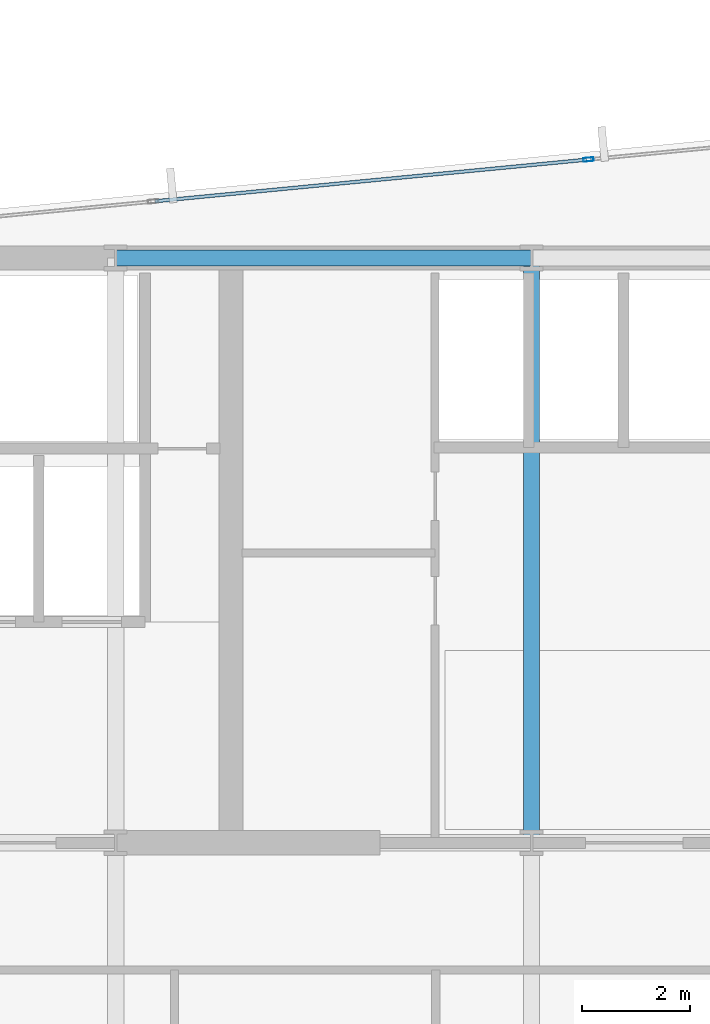
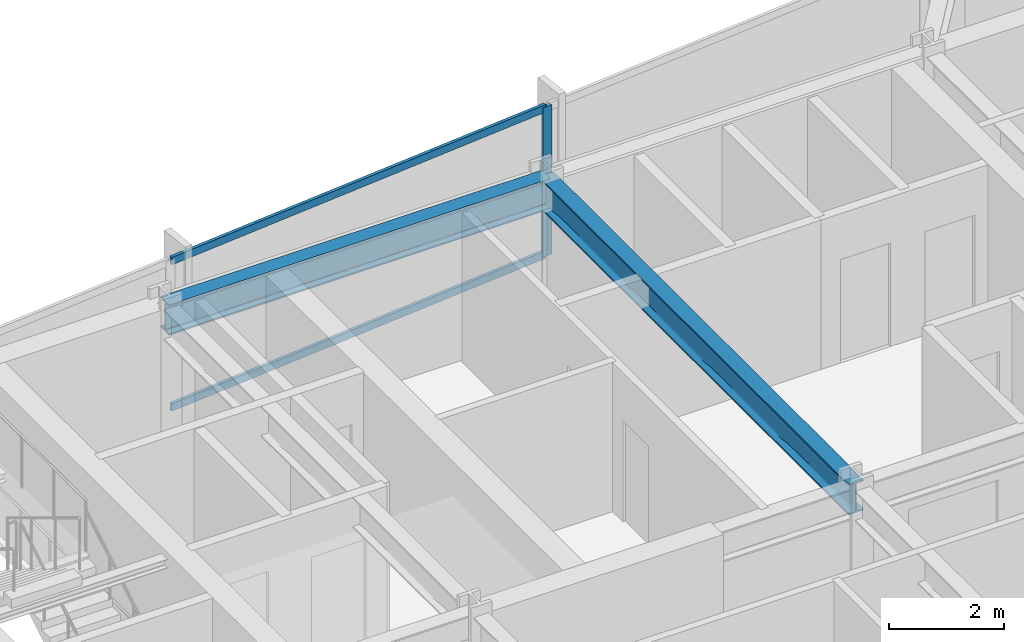
# One storey, part 19 of 33: 3 members, 2 beams, 1 element without a shape of its own.
"""IFC4 building model written with IfcOpenShell, lengths in metres."""

import ifcopenshell
import ifcopenshell.guid

model = None  # the IFC model being written
_history = None  # IfcOwnerHistory: only IFC2X3 demands one
_inside = {}  # id of a spatial element -> (the spatial element, [elements in it])
_under = {}  # id of a project, library or spatial element -> (it, [spatial elements below it])
_declared = {}  # id of a project -> (the project, [libraries it declares])
_typed = {}  # id of a type object -> (the type object, [elements of that type])
_made_of = {}  # id of a material, layer set ... -> (it, [elements and type objects made of it])


def new_model(schema):
    """Start an empty IFC model of exactly this schema.

    Asked for "IFC4X3", IfcOpenShell would pick the latest addendum, in which some entities
    have other attributes; the version numbers below select the first issue.
    IFC2X3 requires an IfcOwnerHistory on every rooted entity: one is made here for all.
    """
    global model, _history
    if schema == "IFC4X3":
        model = ifcopenshell.file(schema_version=(4, 3, 0, 0))
    else:
        model = ifcopenshell.file(schema=schema)
    _inside.clear()
    _under.clear()
    _declared.clear()
    _typed.clear()
    _made_of.clear()
    _history = None
    if model.schema == "IFC2X3":
        org = make("IfcOrganization", Name="unknown")
        user = make(
            "IfcPersonAndOrganization",
            ThePerson=make("IfcPerson", FamilyName="unknown"),
            TheOrganization=org,
        )
        app = make(
            "IfcApplication",
            ApplicationDeveloper=org,
            Version="unknown",
            ApplicationFullName="unknown",
            ApplicationIdentifier="unknown",
        )
        _history = make(
            "IfcOwnerHistory",
            OwningUser=user,
            OwningApplication=app,
            ChangeAction="ADDED",
            CreationDate=0,
        )
    return model


def make(cls, **values):
    """One entity of the class cls with the attributes given. An attribute that is None is left unset."""
    return model.create_entity(
        cls, **{name: value for name, value in values.items() if value is not None}
    )


def rooted(cls, **values):
    """An entity with a GlobalId (a new one), such as an element, a storey or a relation."""
    return make(cls, GlobalId=ifcopenshell.guid.new(), OwnerHistory=_history, **values)


def si_unit(unit_type, name, prefix=None):
    """IfcSIUnit, for example si_unit("LENGTHUNIT", "METRE", prefix="MILLI")."""
    return make("IfcSIUnit", UnitType=unit_type, Prefix=prefix, Name=name)


def assignment(units):
    """IfcUnitAssignment: the units of a project."""
    return None if units is None else make("IfcUnitAssignment", Units=units)


def point(xyz):
    """IfcCartesianPoint."""
    return None if xyz is None else make("IfcCartesianPoint", Coordinates=xyz)


def direction(xyz):
    """IfcDirection."""
    return None if xyz is None else make("IfcDirection", DirectionRatios=xyz)


def frame(location, z_axis=None, x_axis=None):
    """IfcAxis2Placement3D, a coordinate frame: its origin and axes. An axis left out is left unset."""
    return make(
        "IfcAxis2Placement3D",
        Location=point(location),
        Axis=direction(z_axis),
        RefDirection=direction(x_axis),
    )


def frame_2d(location, x_axis=None):
    """IfcAxis2Placement2D, a coordinate frame in the plane: its origin and x axis."""
    return make(
        "IfcAxis2Placement2D", Location=point(location), RefDirection=direction(x_axis)
    )


def origin():
    """The frame at (0, 0, 0) with its axes left unset."""
    return frame((0.0, 0.0, 0.0))


def origin_2d():
    """The frame at (0, 0) in the plane with its x axis left unset."""
    return frame_2d((0.0, 0.0))


def place(relative_to, where):
    """IfcLocalPlacement: puts the frame where relative to a parent placement (None: the world)."""
    return make(
        "IfcLocalPlacement", PlacementRelTo=relative_to, RelativePlacement=where
    )


def context(
    kind, dimensions, precision=None, world=None, true_north=None, identifier=None
):
    """IfcGeometricRepresentationContext, for example the 3D "Model" context."""
    return make(
        "IfcGeometricRepresentationContext",
        ContextIdentifier=identifier,
        ContextType=kind,
        CoordinateSpaceDimension=dimensions,
        Precision=precision,
        WorldCoordinateSystem=world,
        TrueNorth=true_north,
    )


def subcontext(parent, identifier, kind, view, scale=None):
    """IfcGeometricRepresentationSubContext, for example "Body" below "Model"."""
    return make(
        "IfcGeometricRepresentationSubContext",
        ContextIdentifier=identifier,
        ContextType=kind,
        ParentContext=parent,
        TargetScale=scale,
        TargetView=view,
    )


def project(units=None, contexts=None):
    """IfcProject with its units and contexts."""
    return rooted(
        "IfcProject",
        Name="project",
        RepresentationContexts=contexts,
        UnitsInContext=assignment(units),
    )


def spatial(cls, under=None, at=None, **own):
    """A site, building, storey or space (cls), placed at a placement, below another one or the project."""
    s = rooted(cls, ObjectPlacement=at, **own)
    if under is not None:
        _under.setdefault(under.id(), (under, []))[1].append(s)
    return s


def profile(cls, at=None, kind="AREA", **sizes):
    """A parametric profile (cls). Its sizes go by their IFC names, for example OverallWidth=200.0."""
    return make(cls, ProfileType=kind, Position=at, **sizes)


def hollow_rectangle(**sizes):
    """IfcRectangleHollowProfileDef."""
    return profile("IfcRectangleHollowProfileDef", **sizes)


def i_section(**sizes):
    """IfcIShapeProfileDef."""
    return profile("IfcIShapeProfileDef", **sizes)


def extrude(swept, where, along, depth):
    """IfcExtrudedAreaSolid: the profile swept, set in the frame where, extruded along a direction by depth."""
    return make(
        "IfcExtrudedAreaSolid",
        SweptArea=swept,
        Position=where,
        ExtrudedDirection=direction(along),
        Depth=depth,
    )


def shape(context_of_items, identifier, shape_type, items):
    """IfcShapeRepresentation: the items that make up one representation, for example the "Body"."""
    return make(
        "IfcShapeRepresentation",
        ContextOfItems=context_of_items,
        RepresentationIdentifier=identifier,
        RepresentationType=shape_type,
        Items=items,
    )


def material(Name=None, Category=None):
    """IfcMaterial."""
    return make("IfcMaterial", Name=Name, Category=Category)


def material_profile(
    of_material, cross_section, Name=None, Category=None, Priority=None
):
    """IfcMaterialProfile: a cross section and its material."""
    return make(
        "IfcMaterialProfile",
        Name=Name,
        Material=of_material,
        Profile=cross_section,
        Priority=Priority,
        Category=Category,
    )


def profile_set(profiles, Name=None, composite=None):
    """IfcMaterialProfileSet."""
    return make(
        "IfcMaterialProfileSet",
        Name=Name,
        MaterialProfiles=profiles,
        CompositeProfile=composite,
    )


def made_of(thing, what):
    """Note that an element or type object is made of a material, layer set ...; save() writes the relation."""
    if what is not None:
        _made_of.setdefault(what.id(), (what, []))[1].append(thing)
    return thing


def type_object(cls, material=None, **own):
    """A type object (cls), such as IfcWallType, which elements share."""
    return made_of(rooted(cls, **own), material)


def element(
    cls,
    number,
    at=None,
    inside=None,
    cuts=None,
    type_object=None,
    material=None,
    context=None,
    identifier="Body",
    shape_type=None,
    held_by="IfcProductDefinitionShape",
    body=None,
    shapes=None,
    **own,
):
    """One element of the class cls, such as IfcWall. Its Tag is "e" and its number.

    at: its placement. inside: the storey or other place that contains it. cuts: it is an
    opening in that element (IfcRelVoidsElement). A single representation is given by context,
    identifier, shape_type and body (its items); several are given by shapes. held_by: the class
    of the entity that holds the representations. save() writes the other relations.
    """
    e = rooted(cls, Tag="e%d" % number, ObjectPlacement=at, **own)
    if body is not None:
        shapes = [shape(context, identifier, shape_type, body)]
    if shapes is not None:
        e.Representation = make(held_by, Representations=shapes)
    if inside is not None:
        _inside.setdefault(inside.id(), (inside, []))[1].append(e)
    if cuts is not None:
        rooted(
            "IfcRelVoidsElement", RelatingBuildingElement=cuts, RelatedOpeningElement=e
        )
    if type_object is not None:
        _typed.setdefault(type_object.id(), (type_object, []))[1].append(e)
    return made_of(e, material)


def aggregate(whole, parts):
    """IfcRelAggregates: a whole, such as a stair, and the parts it consists of."""
    return rooted("IfcRelAggregates", RelatingObject=whole, RelatedObjects=parts)


def save(model, path):
    """Write the relations noted so far, then the file.

    IfcRelAggregates (storeys below a building ...), IfcRelContainedInSpatialStructure (elements
    in a storey), IfcRelDefinesByType, IfcRelAssociatesMaterial and IfcRelDeclares: one each for
    every whole, place, type object, material and project.
    """
    for whole, parts in _under.values():
        aggregate(whole, parts)
    for where, things in _inside.values():
        rooted(
            "IfcRelContainedInSpatialStructure",
            RelatedElements=things,
            RelatingStructure=where,
        )
    for kind, things in _typed.values():
        rooted("IfcRelDefinesByType", RelatedObjects=things, RelatingType=kind)
    for what, things in _made_of.values():
        rooted("IfcRelAssociatesMaterial", RelatedObjects=things, RelatingMaterial=what)
    for by, libraries in _declared.values():
        rooted("IfcRelDeclares", RelatingContext=by, RelatedDefinitions=libraries)
    model.write(path)


model = new_model("IFC4")

# Units and contexts
model_context = context("Model", 3, precision=1e-05, world=origin(), true_north=direction((0.0, 1.0)))
body_context = subcontext(model_context, "Body", "Model", "MODEL_VIEW")
ifc_project = project(units=[si_unit("LENGTHUNIT", "METRE"), si_unit("AREAUNIT", "SQUARE_METRE"), si_unit("VOLUMEUNIT", "CUBIC_METRE"), si_unit("PLANEANGLEUNIT", "RADIAN"), si_unit("MASSUNIT", "GRAM", prefix="KILO")], contexts=[model_context])

# Site, building, storey
site_placement = place(None, origin())
site = spatial("IfcSite", under=ifc_project, at=site_placement, CompositionType="ELEMENT")
building_placement = place(site_placement, origin())
building = spatial("IfcBuilding", under=site, at=building_placement, Name="Yelkora Congress Tower", CompositionType="ELEMENT")
storey_placement = place(building_placement, frame((0.0, 0.0, 106.699951171875)))
storey = spatial("IfcBuildingStorey", under=building, at=storey_placement, Name="L28", CompositionType="ELEMENT", Elevation=106.699951171875)

# Beams
ifc_material_1 = material(Name="Steel S355J2", Category="steel")
ifc_material_profile_1 = material_profile(ifc_material_1, i_section(OverallWidth=0.300048828125, OverallDepth=0.64990234375, WebThickness=0.01611328125, FlangeThickness=0.031005859375, FilletRadius=0.027099609375, at=origin_2d()), Name="HEB 650")
ifc_profile_set_1 = profile_set([ifc_material_profile_1], Name="Steel S355J2")
beam_type = type_object("IfcBeamType", Name="BM-GIRD-HEB650", PredefinedType="BEAM", material=ifc_profile_set_1)
beam_1_placement = place(storey_placement, frame((30.719970703125, 46.199951171875, 2.85498046875), z_axis=(1.0, 0.0, 0.0), x_axis=(0.0, 1.0, 0.0)))
element("IfcBeam", 1, at=beam_1_placement, inside=storey, type_object=beam_type, Name="L28 Core North Girder 3", PredefinedType="BEAM", context=body_context, shape_type="SweptSolid", body=[
    extrude(i_section(OverallWidth=0.300048828125, OverallDepth=0.64990234375, WebThickness=0.01611328125, FlangeThickness=0.031005859375, FilletRadius=0.027099609375, at=origin_2d()), origin(), (0.0, 0.0, 1.0), 7.679931640625),
])
beam_2_placement = place(storey_placement, frame((38.39990234375, 35.39990234375, 2.85498046875), z_axis=(0.0, 1.0, 0.0), x_axis=(-1.0, 0.0, 0.0)))
element("IfcBeam", 2, at=beam_2_placement, inside=storey, type_object=beam_type, Name="L28 Core Tie Girder MC-S3", PredefinedType="BEAM", context=body_context, shape_type="SweptSolid", body=[
    extrude(i_section(OverallWidth=0.300048828125, OverallDepth=0.64990234375, WebThickness=0.01611328125, FlangeThickness=0.031005859375, FilletRadius=0.027099609375, at=origin_2d()), origin(), (0.0, 0.0, 1.0), 10.800048828125),
])

# Curtain wall, members
ifc_material_2 = material(Name="Anodised aluminium and insulated glass", Category="aluminium")
curtain_wall_type = type_object("IfcCurtainWallType", Name="CW-SYS-B2", PredefinedType="NOTDEFINED", material=ifc_material_2)
curtain_wall_placement = place(storey_placement, origin())
curtain_wall = element("IfcCurtainWall", 3, at=curtain_wall_placement, inside=storey, type_object=curtain_wall_type, Name="L28 Unitised Curtain Wall 10 (3)", PredefinedType="NOTDEFINED")
ifc_material_3 = material(Name="Anodised aluminium 6063-T6", Category="aluminium")
ifc_material_profile_2 = material_profile(ifc_material_3, hollow_rectangle(XDim=0.070068359375, YDim=0.18994140625, WallThickness=0.00390625, at=origin_2d()), Name="ALU 70x190x4")
ifc_profile_set_2 = profile_set([ifc_material_profile_2], Name="Anodised aluminium 6063-T6")
member_type_1 = type_object("IfcMemberType", Name="MEM-ML-B2", PredefinedType="MULLION", material=ifc_profile_set_2)
member_1_placement = place(storey_placement, frame((39.451904296875, 48.018310546875, 0.0), z_axis=(0.0, 0.0, 1.0), x_axis=(-0.095844238468, 0.995396344153, 0.0)))
member_1 = element("IfcMember", 4, at=member_1_placement, type_object=member_type_1, Name="CW-B2 mullion 3", PredefinedType="MULLION", context=body_context, shape_type="SweptSolid", body=[
    extrude(hollow_rectangle(XDim=0.070068359375, YDim=0.18994140625, WallThickness=0.00390625, at=origin_2d()), origin(), (0.0, 0.0, 1.0), 3.179931640625),
])
ifc_material_profile_3 = material_profile(ifc_material_3, hollow_rectangle(XDim=0.06494140625, YDim=0.159912109375, WallThickness=0.00390625, at=origin_2d()), Name="ALU 65x160x4")
ifc_profile_set_3 = profile_set([ifc_material_profile_3], Name="Anodised aluminium 6063-T6")
member_type_2 = type_object("IfcMemberType", Name="MEM-TR-B2", PredefinedType="USERDEFINED", material=ifc_profile_set_3)
member_2_placement = place(storey_placement, frame((31.44677734375, 47.24755859375, 0.032470703125), z_axis=(0.995397793901, 0.09582918082, 0.0), x_axis=(-0.09582918082, 0.995397793901, 0.0)))
member_2 = element("IfcMember", 5, at=member_2_placement, type_object=member_type_2, Name="CW-B2 transom 2.1", ObjectType="TRANSOM", PredefinedType="USERDEFINED", context=body_context, shape_type="SweptSolid", body=[
    extrude(hollow_rectangle(XDim=0.06494140625, YDim=0.159912109375, WallThickness=0.00390625, at=origin_2d()), origin(), (0.0, 0.0, 1.0), 8.00732421875),
])
member_3_placement = place(storey_placement, frame((31.44677734375, 47.24755859375, 3.1474609375), z_axis=(0.995397793901, 0.09582918082, 0.0), x_axis=(-0.09582918082, 0.995397793901, 0.0)))
member_3 = element("IfcMember", 6, at=member_3_placement, type_object=member_type_2, Name="CW-B2 transom 2.2", ObjectType="TRANSOM", PredefinedType="USERDEFINED", context=body_context, shape_type="SweptSolid", body=[
    extrude(hollow_rectangle(XDim=0.06494140625, YDim=0.159912109375, WallThickness=0.00390625, at=origin_2d()), origin(), (0.0, 0.0, 1.0), 8.00732421875),
])
aggregate(curtain_wall, [member_1, member_2, member_3])

save(model, "model.ifc")
